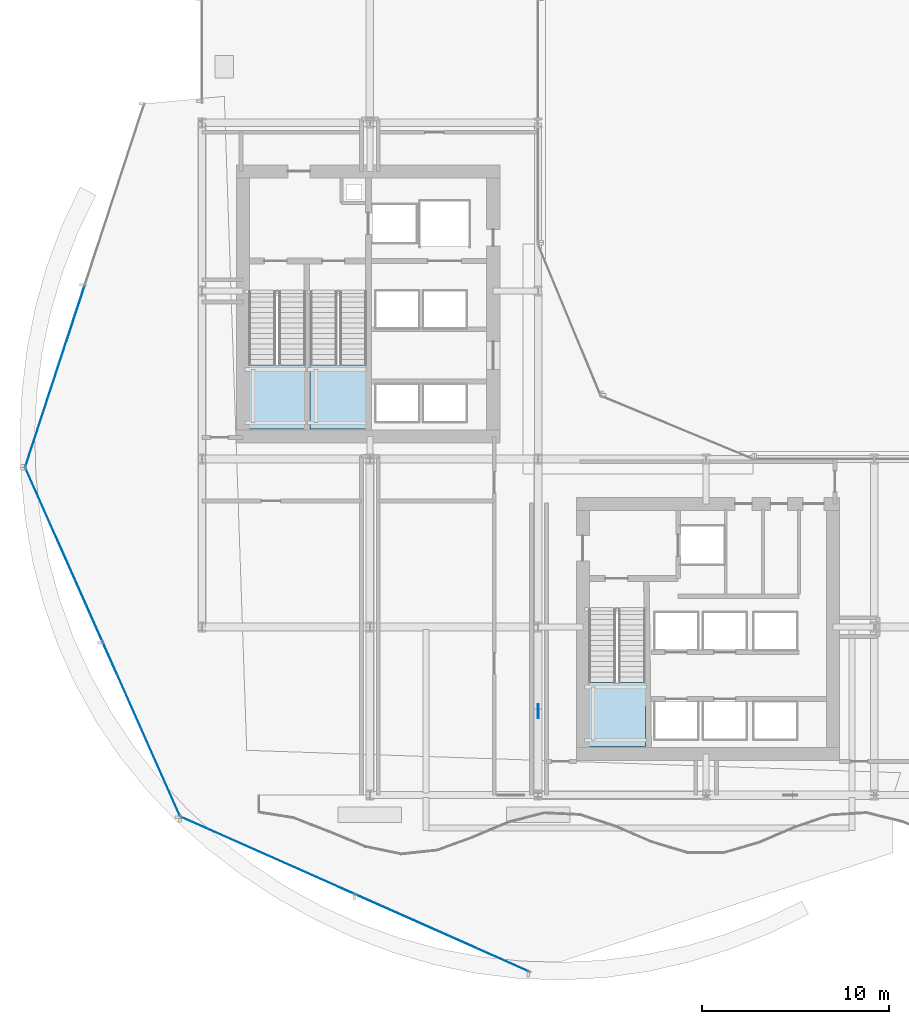
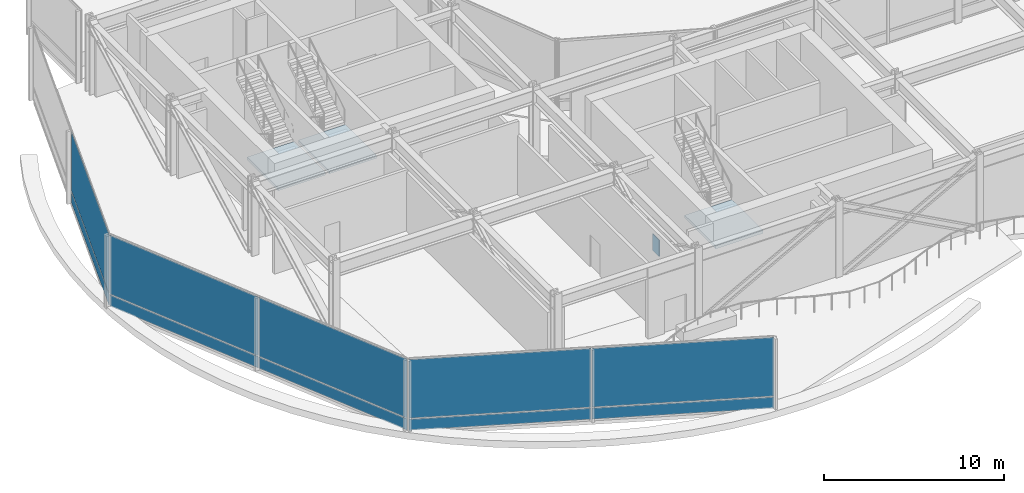
# One storey, part 24 of 37: 11 plates, 3 slabs, 6 elements without a shape of their own.
"""IFC4 building model written with IfcOpenShell, lengths in metres."""

from ifc_helpers import new_model, si_unit, direction, frame, origin, origin_2d, place, context, subcontext, project, spatial, polyline, rectangle, outline, extrude, material, layer, layer_set, type_object, element, aggregate, save


model = new_model("IFC4")

# Units and contexts
model_context = context("Model", 3, precision=1e-05, world=origin(), true_north=direction((0.0, 1.0)))
body_context = subcontext(model_context, "Body", "Model", "MODEL_VIEW")
ifc_project = project(units=[si_unit("LENGTHUNIT", "METRE"), si_unit("AREAUNIT", "SQUARE_METRE"), si_unit("VOLUMEUNIT", "CUBIC_METRE"), si_unit("PLANEANGLEUNIT", "RADIAN"), si_unit("MASSUNIT", "GRAM", prefix="KILO")], contexts=[model_context])

# Site, building, storey
site_placement = place(None, origin())
site = spatial("IfcSite", under=ifc_project, at=site_placement, CompositionType="ELEMENT")
building_placement = place(site_placement, origin())
building = spatial("IfcBuilding", under=site, at=building_placement, Name="Solvaryn Broadcast Tower", CompositionType="ELEMENT")
storey_placement = place(building_placement, frame((0.0, 0.0, 30.800048828125)))
storey = spatial("IfcBuildingStorey", under=building, at=storey_placement, Name="L06", CompositionType="ELEMENT", Elevation=30.800048828125)

# Curtain wall, plates
ifc_material_1 = material(Name="Aluminium and Terracotta Unitised Curtain Wall", Category="masonry")
ifc_layer_1 = layer(ifc_material_1, 0.199951171875)
ifc_layer_set_1 = layer_set([ifc_layer_1], Name="CW-SYS2-LOWMID")
curtain_wall_type = type_object("IfcCurtainWallType", Name="CW-SYS2-LOWMID", PredefinedType="NOTDEFINED", material=ifc_layer_set_1)
curtain_wall_1_placement = place(storey_placement, origin())
curtain_wall_1 = element("IfcCurtainWall", 1, at=curtain_wall_1_placement, inside=storey, type_object=curtain_wall_type, Name="L06 Curtain Wall DR1", PredefinedType="NOTDEFINED")
ifc_material_2 = material(Name="Kiln-Fired Architectural Terracotta Spandrel", Category="masonry")
ifc_layer_2 = layer(ifc_material_2, 0.048095703125)
ifc_layer_set_2 = layer_set([ifc_layer_2], Name="CW-PNL-TERRACOTTA")
plate_type_1 = type_object("IfcPlateType", Name="CW-PNL-TERRACOTTA", PredefinedType="CURTAIN_PANEL", material=ifc_layer_set_2)
plate_1_placement = place(storey_placement, frame((1.1357421875, 31.438232421875, 0.06005859375), z_axis=(0.0, 0.0, 1.0), x_axis=(-0.311594044587, -0.950215318429, 0.0)))
plate_1 = element("IfcPlate", 2, at=plate_1_placement, type_object=plate_type_1, Name="CWS2 panel 2.1", PredefinedType="CURTAIN_PANEL", context=body_context, shape_type="SweptSolid", body=[
    extrude(rectangle(XDim=10.147705078125, YDim=0.028076171875, at=origin_2d()), origin(), (0.0, 0.0, 1.0), 0.760009765625),
])
plate_2_placement = place(storey_placement, frame((1.1357421875, 31.438232421875, 0.8798828125), z_axis=(0.0, 0.0, 1.0), x_axis=(-0.311594044587, -0.950215318429, 0.0)))
plate_2 = element("IfcPlate", 3, at=plate_2_placement, type_object=plate_type_1, Name="CWS2 panel 2.2", PredefinedType="CURTAIN_PANEL", context=body_context, shape_type="SweptSolid", body=[
    extrude(rectangle(XDim=10.147705078125, YDim=0.028076171875, at=origin_2d()), origin(), (0.0, 0.0, 1.0), 3.97998046875),
])
aggregate(curtain_wall_1, [plate_1, plate_2])

curtain_wall_2_placement = place(storey_placement, origin())
curtain_wall_2 = element("IfcCurtainWall", 4, at=curtain_wall_2_placement, inside=storey, type_object=curtain_wall_type, Name="L06 Curtain Wall DR2", PredefinedType="NOTDEFINED")
plate_3_placement = place(storey_placement, frame((1.619873046875, 21.867919921875, 0.06005859375), z_axis=(0.0, 0.0, 1.0), x_axis=(0.405898286554, -0.913918257271, 0.0)))
plate_3 = element("IfcPlate", 5, at=plate_3_placement, type_object=plate_type_1, Name="CWS2 panel 1.1", PredefinedType="CURTAIN_PANEL", context=body_context, shape_type="SweptSolid", body=[
    extrude(rectangle(XDim=10.147705078125, YDim=0.028076171875, at=origin_2d()), origin(), (0.0, 0.0, 1.0), 0.760009765625),
])
plate_4_placement = place(storey_placement, frame((1.619873046875, 21.867919921875, 0.8798828125), z_axis=(0.0, 0.0, 1.0), x_axis=(0.405898286554, -0.913918257271, 0.0)))
plate_4 = element("IfcPlate", 6, at=plate_4_placement, type_object=plate_type_1, Name="CWS2 panel 1.2", PredefinedType="CURTAIN_PANEL", context=body_context, shape_type="SweptSolid", body=[
    extrude(rectangle(XDim=10.147705078125, YDim=0.028076171875, at=origin_2d()), origin(), (0.0, 0.0, 1.0), 3.97998046875),
])
plate_5_placement = place(storey_placement, frame((5.76318359375, 12.5390625, 0.06005859375), z_axis=(0.0, 0.0, 1.0), x_axis=(0.405898286554, -0.913918257271, 0.0)))
plate_5 = element("IfcPlate", 7, at=plate_5_placement, type_object=plate_type_1, Name="CWS2 panel 2.1", PredefinedType="CURTAIN_PANEL", context=body_context, shape_type="SweptSolid", body=[
    extrude(rectangle(XDim=10.147705078125, YDim=0.028076171875, at=origin_2d()), origin(), (0.0, 0.0, 1.0), 0.760009765625),
])
plate_6_placement = place(storey_placement, frame((5.76318359375, 12.5390625, 0.8798828125), z_axis=(0.0, 0.0, 1.0), x_axis=(0.405898286554, -0.913918257271, 0.0)))
plate_6 = element("IfcPlate", 8, at=plate_6_placement, type_object=plate_type_1, Name="CWS2 panel 2.2", PredefinedType="CURTAIN_PANEL", context=body_context, shape_type="SweptSolid", body=[
    extrude(rectangle(XDim=10.147705078125, YDim=0.028076171875, at=origin_2d()), origin(), (0.0, 0.0, 1.0), 3.97998046875),
])
aggregate(curtain_wall_2, [plate_3, plate_4, plate_5, plate_6])

curtain_wall_3_placement = place(storey_placement, origin())
curtain_wall_3 = element("IfcCurtainWall", 9, at=curtain_wall_3_placement, inside=storey, type_object=curtain_wall_type, Name="L06 Curtain Wall DR3", PredefinedType="NOTDEFINED")
plate_7_placement = place(storey_placement, frame((12.5390625, 5.76318359375, 0.06005859375), z_axis=(0.0, 0.0, 1.0), x_axis=(0.913918257271, -0.405898286554, 0.0)))
plate_7 = element("IfcPlate", 10, at=plate_7_placement, type_object=plate_type_1, Name="CWS2 panel 1.1", PredefinedType="CURTAIN_PANEL", context=body_context, shape_type="SweptSolid", body=[
    extrude(rectangle(XDim=10.147705078125, YDim=0.028076171875, at=origin_2d()), origin(), (0.0, 0.0, 1.0), 0.760009765625),
])
plate_8_placement = place(storey_placement, frame((12.5390625, 5.76318359375, 0.8798828125), z_axis=(0.0, 0.0, 1.0), x_axis=(0.913918257271, -0.405898286554, 0.0)))
plate_8 = element("IfcPlate", 11, at=plate_8_placement, type_object=plate_type_1, Name="CWS2 panel 1.2", PredefinedType="CURTAIN_PANEL", context=body_context, shape_type="SweptSolid", body=[
    extrude(rectangle(XDim=10.147705078125, YDim=0.028076171875, at=origin_2d()), origin(), (0.0, 0.0, 1.0), 3.97998046875),
])
plate_9_placement = place(storey_placement, frame((21.867919921875, 1.619873046875, 0.06005859375), z_axis=(0.0, 0.0, 1.0), x_axis=(0.913918257271, -0.405898286554, 0.0)))
plate_9 = element("IfcPlate", 12, at=plate_9_placement, type_object=plate_type_1, Name="CWS2 panel 2.1", PredefinedType="CURTAIN_PANEL", context=body_context, shape_type="SweptSolid", body=[
    extrude(rectangle(XDim=10.147705078125, YDim=0.028076171875, at=origin_2d()), origin(), (0.0, 0.0, 1.0), 0.760009765625),
])
plate_10_placement = place(storey_placement, frame((21.867919921875, 1.619873046875, 0.8798828125), z_axis=(0.0, 0.0, 1.0), x_axis=(0.913918257271, -0.405898286554, 0.0)))
plate_10 = element("IfcPlate", 13, at=plate_10_placement, type_object=plate_type_1, Name="CWS2 panel 2.2", PredefinedType="CURTAIN_PANEL", context=body_context, shape_type="SweptSolid", body=[
    extrude(rectangle(XDim=10.147705078125, YDim=0.028076171875, at=origin_2d()), origin(), (0.0, 0.0, 1.0), 3.97998046875),
])
aggregate(curtain_wall_3, [plate_7, plate_8, plate_9, plate_10])

# Plate
ifc_material_3 = material(Name="Steel ASTM A572 Grade 50", Category="steel")
ifc_layer_3 = layer(ifc_material_3, 0.050048828125)
ifc_layer_set_3 = layer_set([ifc_layer_3], Name="PL-GUSSET-50")
plate_type_2 = type_object("IfcPlateType", Name="PL-GUSSET-50", PredefinedType="SHEET", material=ifc_layer_set_3)
plate_11_placement = place(storey_placement, frame((27.0, 13.5, 1.909912109375), z_axis=(0.0, 0.0, 1.0), x_axis=(1.0, 0.0, 0.0)))
element("IfcPlate", 14, at=plate_11_placement, inside=storey, type_object=plate_type_2, Name="L06 Transfer Truss X-Bay 27 X-Crossing Gusset Node Plate", PredefinedType="SHEET", context=body_context, shape_type="SweptSolid", body=[
    extrude(rectangle(XDim=0.050048828125, YDim=0.75, at=origin_2d()), origin(), (0.0, 0.0, 1.0), 1.10009765625),
])

# Stair, slab
ifc_material_4 = material(Name="Concrete f'c 60 MPa", Category="concrete")
stair_type = type_object("IfcStairType", Name="ST-CORE", PredefinedType="HALF_TURN_STAIR", material=ifc_material_4)
stair_1_placement = place(storey_placement, origin())
stair_1 = element("IfcStair", 15, at=stair_1_placement, inside=storey, type_object=stair_type, Name="L06 ST1", PredefinedType="HALF_TURN_STAIR")
ifc_material_5 = material(Name="Concrete f'c 60 MPa", Category="concrete")
ifc_layer_4 = layer(ifc_material_5, 0.199951171875)
ifc_layer_set_4 = layer_set([ifc_layer_4], Name="SL-LANDING-200")
slab_type = type_object("IfcSlabType", Name="SL-LANDING-200", PredefinedType="LANDING", material=ifc_layer_set_4)
slab_1_placement = place(storey_placement, frame((0.0, 0.0, 2.39990234375)))
slab_1 = element("IfcSlab", 16, at=slab_1_placement, type_object=slab_type, Name="ST1 landing 1", PredefinedType="LANDING", context=body_context, shape_type="SweptSolid", body=[
    extrude(outline(polyline([(11.52001953125, 32.0400390625), (11.52001953125, 28.60009765625), (14.550048828125, 28.60009765625), (14.550048828125, 32.0400390625), (11.52001953125, 32.0400390625)])), origin(), (0.0, 0.0, 1.0), 0.199951171875),
])
aggregate(stair_1, [slab_1])

stair_2_placement = place(storey_placement, origin())
stair_2 = element("IfcStair", 17, at=stair_2_placement, inside=storey, type_object=stair_type, Name="L06 ST2", PredefinedType="HALF_TURN_STAIR")
slab_2_placement = place(storey_placement, frame((0.0, 0.0, 2.39990234375)))
slab_2 = element("IfcSlab", 18, at=slab_2_placement, type_object=slab_type, Name="ST2 landing 1", PredefinedType="LANDING", context=body_context, shape_type="SweptSolid", body=[
    extrude(outline(polyline([(14.800048828125, 32.0400390625), (14.800048828125, 28.60009765625), (17.830078125, 28.60009765625), (17.830078125, 32.0400390625), (14.800048828125, 32.0400390625)])), origin(), (0.0, 0.0, 1.0), 0.199951171875),
])
aggregate(stair_2, [slab_2])

stair_3_placement = place(storey_placement, origin())
stair_3 = element("IfcStair", 19, at=stair_3_placement, inside=storey, type_object=stair_type, Name="L06 ST3", PredefinedType="HALF_TURN_STAIR")
slab_3_placement = place(storey_placement, frame((0.0, 0.0, 2.39990234375)))
slab_3 = element("IfcSlab", 20, at=slab_3_placement, type_object=slab_type, Name="ST3 landing 1", PredefinedType="LANDING", context=body_context, shape_type="SweptSolid", body=[
    extrude(outline(polyline([(29.719970703125, 15.0400390625), (29.719970703125, 11.60009765625), (32.75, 11.60009765625), (32.75, 15.0400390625), (29.719970703125, 15.0400390625)])), origin(), (0.0, 0.0, 1.0), 0.199951171875),
])
aggregate(stair_3, [slab_3])

save(model, "model.ifc")
